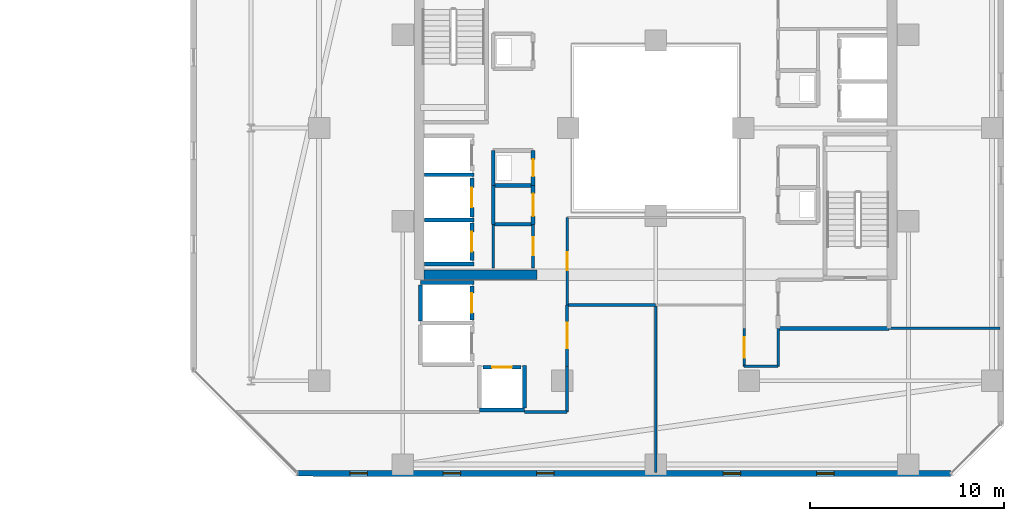
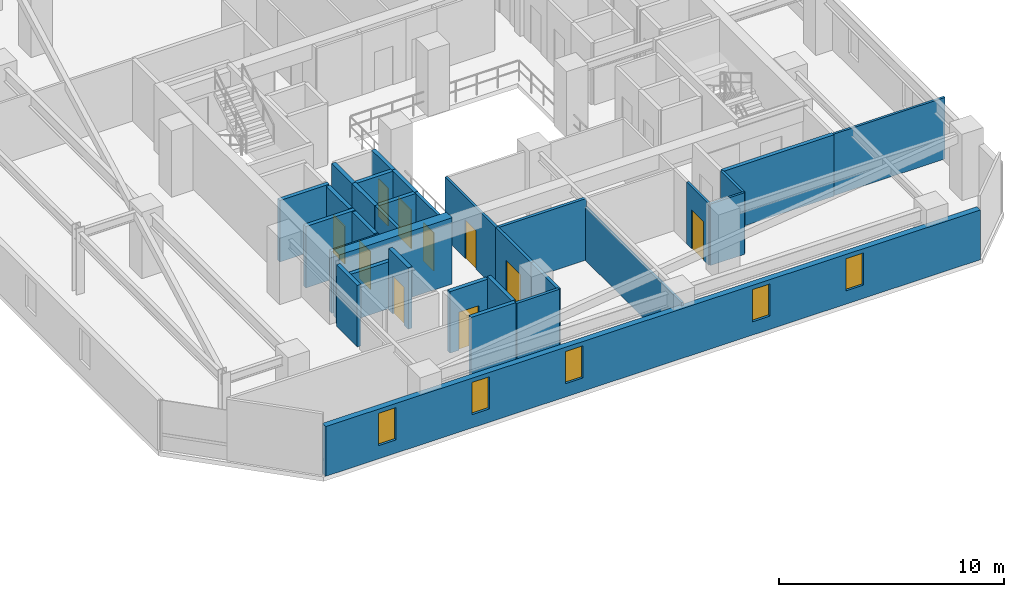
# One storey, part 23 of 33: 32 walls, 10 doors, 5 windows, 15 openings.
"""IFC4 building model written with IfcOpenShell, lengths in metres."""

from ifc_helpers import new_model, si_unit, direction, frame, frame_2d, origin, place, context, subcontext, project, spatial, rectangle, extrude, material, layer, layer_set, type_object, element, fill, save


model = new_model("IFC4")

# Units and contexts
model_context = context("Model", 3, precision=1e-05, world=origin(), true_north=direction((0.0, 1.0)))
body_context = subcontext(model_context, "Body", "Model", "MODEL_VIEW")
ifc_project = project(units=[si_unit("LENGTHUNIT", "METRE"), si_unit("AREAUNIT", "SQUARE_METRE"), si_unit("VOLUMEUNIT", "CUBIC_METRE"), si_unit("PLANEANGLEUNIT", "RADIAN"), si_unit("MASSUNIT", "GRAM", prefix="KILO")], contexts=[model_context])

# Site, building, storey
site_placement = place(None, origin())
site = spatial("IfcSite", under=ifc_project, at=site_placement, CompositionType="ELEMENT")
building_placement = place(site_placement, origin())
building = spatial("IfcBuilding", under=site, at=building_placement, Name="Thornwick Lancets Civic Towers", CompositionType="ELEMENT")
storey_placement = place(building_placement, frame((0.0, 0.0, 185.699951171875)))
storey = spatial("IfcBuildingStorey", under=building, at=storey_placement, Name="L49", CompositionType="ELEMENT", Elevation=185.699951171875)

# Wall, opening, door
ifc_material_1 = material(Name="Concrete blockwork C40/50", Category="masonry")
ifc_layer_1 = layer(ifc_material_1, 0.199951171875, Name="Concrete blockwork C40/50")
ifc_layer_set_1 = layer_set([ifc_layer_1], Name="Concrete blockwork C40/50")
wall_type_1 = type_object("IfcWallType", Name="WALL_COMP_200", PredefinedType="STANDARD", material=ifc_layer_set_1)
wall_1_placement = place(storey_placement, frame((79.050048828125, 22.429931640625, 0.0), z_axis=(0.0, 0.0, 1.0), x_axis=(0.0, 1.0, 0.0)))
wall_1 = element("IfcWall", 1, at=wall_1_placement, inside=storey, type_object=wall_type_1, Name="L49 Hoistway Front Wall PL-BH2", PredefinedType="STANDARD", context=body_context, shape_type="SweptSolid", body=[
    extrude(rectangle(XDim=1.989990234375, YDim=0.199951171875, at=frame_2d((0.9951171875, 0.0))), origin(), (0.0, 0.0, 1.0), 3.340087890625),
])
opening_1_placement = place(wall_1_placement, frame((0.485107421875, 0.0, 0.0)))
opening_1 = element("IfcOpeningElement", 2, at=opening_1_placement, cuts=wall_1, Name="Opening LD-PL-BH2", PredefinedType="OPENING", context=body_context, shape_type="SweptSolid", body=[
    extrude(rectangle(XDim=1.02001953125, YDim=2.06005859375, at=frame_2d((0.510009765625, 1.030029296875))), frame((0.0, 0.10986328125, 0.0), z_axis=(0.0, -1.0, 0.0), x_axis=(1.0, 0.0, 0.0)), (0.0, 0.0, 1.0), 0.219970703125),
])
ifc_material_2 = material(Name="Brushed bronze stainless steel", Category="steel")
door_type_1 = type_object("IfcDoorType", Name="DOOR_LIFT_SLIDE", OperationType="SLIDING_TO_LEFT", PredefinedType="DOOR", material=ifc_material_2)
door_1_placement = place(opening_1_placement, origin())
door_1 = element("IfcDoor", 3, at=door_1_placement, inside=storey, type_object=door_type_1, Name="L49 Sliding Lift Landing Door LD-PL-BH2", OperationType="SLIDING_TO_LEFT", OverallHeight=2.06005859375, OverallWidth=1.02001953125, PredefinedType="DOOR", context=body_context, shape_type="SweptSolid", body=[
    extrude(rectangle(XDim=1.02001953125, YDim=2.06005859375, at=frame_2d((0.510009765625, 1.030029296875))), frame((0.0, 0.02490234375, 0.0), z_axis=(0.0, -1.0, 0.0), x_axis=(1.0, 0.0, 0.0)), (0.0, 0.0, 1.0), 0.050048828125),
])
fill(opening_1, door_1)

wall_2_placement = place(storey_placement, frame((79.050048828125, 20.179931640625, 0.0), z_axis=(0.0, 0.0, 1.0), x_axis=(0.0, 1.0, 0.0)))
wall_2 = element("IfcWall", 4, at=wall_2_placement, inside=storey, type_object=wall_type_1, Name="L49 Hoistway Front Wall PL-BH3", PredefinedType="STANDARD", context=body_context, shape_type="SweptSolid", body=[
    extrude(rectangle(XDim=1.940185546875, YDim=0.199951171875, at=frame_2d((0.97021484375, 0.0))), origin(), (0.0, 0.0, 1.0), 3.340087890625),
])
opening_2_placement = place(wall_2_placement, frame((0.4599609375, 0.0, 0.0)))
opening_2 = element("IfcOpeningElement", 5, at=opening_2_placement, cuts=wall_2, Name="Opening LD-PL-BH3", PredefinedType="OPENING", context=body_context, shape_type="SweptSolid", body=[
    extrude(rectangle(XDim=1.02001953125, YDim=2.06005859375, at=frame_2d((0.510009765625, 1.030029296875))), frame((0.0, 0.10986328125, 0.0), z_axis=(0.0, -1.0, 0.0), x_axis=(1.0, 0.0, 0.0)), (0.0, 0.0, 1.0), 0.219970703125),
])
door_2_placement = place(opening_2_placement, origin())
door_2 = element("IfcDoor", 6, at=door_2_placement, inside=storey, type_object=door_type_1, Name="L49 Sliding Lift Landing Door LD-PL-BH3", OperationType="SLIDING_TO_LEFT", OverallHeight=2.06005859375, OverallWidth=1.02001953125, PredefinedType="DOOR", context=body_context, shape_type="SweptSolid", body=[
    extrude(rectangle(XDim=1.02001953125, YDim=2.06005859375, at=frame_2d((0.510009765625, 1.030029296875))), frame((0.0, 0.02490234375, 0.0), z_axis=(0.0, -1.0, 0.0), x_axis=(1.0, 0.0, 0.0)), (0.0, 0.0, 1.0), 0.050048828125),
])
fill(opening_2, door_2)

wall_3_placement = place(storey_placement, frame((79.050048828125, 17.1298828125, 0.0), z_axis=(0.0, 0.0, 1.0), x_axis=(0.0, 1.0, 0.0)))
wall_3 = element("IfcWall", 7, at=wall_3_placement, inside=storey, type_object=wall_type_1, Name="L49 Hoistway Front Wall PL-BM1", PredefinedType="STANDARD", context=body_context, shape_type="SweptSolid", body=[
    extrude(rectangle(XDim=1.740234375, YDim=0.199951171875, at=frame_2d((0.8701171875, 0.0))), origin(), (0.0, 0.0, 1.0), 3.340087890625),
])
opening_3_placement = place(wall_3_placement, frame((0.360107421875, 0.0, 0.0)))
opening_3 = element("IfcOpeningElement", 8, at=opening_3_placement, cuts=wall_3, Name="Opening LD-PL-BM1", PredefinedType="OPENING", context=body_context, shape_type="SweptSolid", body=[
    extrude(rectangle(XDim=1.02001953125, YDim=2.06005859375, at=frame_2d((0.510009765625, 1.030029296875))), frame((0.0, 0.10986328125, 0.0), z_axis=(0.0, -1.0, 0.0), x_axis=(1.0, 0.0, 0.0)), (0.0, 0.0, 1.0), 0.219970703125),
])
door_3_placement = place(opening_3_placement, origin())
door_3 = element("IfcDoor", 9, at=door_3_placement, inside=storey, type_object=door_type_1, Name="L49 Sliding Lift Landing Door LD-PL-BM1", OperationType="SLIDING_TO_LEFT", OverallHeight=2.06005859375, OverallWidth=1.02001953125, PredefinedType="DOOR", context=body_context, shape_type="SweptSolid", body=[
    extrude(rectangle(XDim=1.02001953125, YDim=2.06005859375, at=frame_2d((0.510009765625, 1.030029296875))), frame((0.0, 0.02490234375, 0.0), z_axis=(0.0, -1.0, 0.0), x_axis=(1.0, 0.0, 0.0)), (0.0, 0.0, 1.0), 0.050048828125),
])
fill(opening_3, door_3)

wall_4_placement = place(storey_placement, frame((79.6298828125, 14.699951171875, 0.0), z_axis=(0.0, 0.0, 1.0), x_axis=(1.0, 0.0, 0.0)))
wall_4 = element("IfcWall", 10, at=wall_4_placement, inside=storey, type_object=wall_type_1, Name="L49 Hoistway Front Wall PL-BM3", PredefinedType="STANDARD", context=body_context, shape_type="SweptSolid", body=[
    extrude(rectangle(XDim=1.940185546875, YDim=0.199951171875, at=frame_2d((0.97021484375, 0.0))), origin(), (0.0, 0.0, 1.0), 3.340087890625),
])
opening_4_placement = place(wall_4_placement, frame((0.4599609375, 0.0, 0.0)))
opening_4 = element("IfcOpeningElement", 11, at=opening_4_placement, cuts=wall_4, Name="Opening LD-PL-BM3", PredefinedType="OPENING", context=body_context, shape_type="SweptSolid", body=[
    extrude(rectangle(XDim=1.02001953125, YDim=2.06005859375, at=frame_2d((0.510009765625, 1.030029296875))), frame((0.0, 0.10986328125, 0.0), z_axis=(0.0, -1.0, 0.0), x_axis=(1.0, 0.0, 0.0)), (0.0, 0.0, 1.0), 0.219970703125),
])
door_4_placement = place(opening_4_placement, origin())
door_4 = element("IfcDoor", 12, at=door_4_placement, inside=storey, type_object=door_type_1, Name="L49 Sliding Lift Landing Door LD-PL-BM3", OperationType="SLIDING_TO_LEFT", OverallHeight=2.06005859375, OverallWidth=1.02001953125, PredefinedType="DOOR", context=body_context, shape_type="SweptSolid", body=[
    extrude(rectangle(XDim=1.02001953125, YDim=2.06005859375, at=frame_2d((0.510009765625, 1.030029296875))), frame((0.0, 0.02490234375, 0.0), z_axis=(0.0, -1.0, 0.0), x_axis=(1.0, 0.0, 0.0)), (0.0, 0.0, 1.0), 0.050048828125),
])
fill(opening_4, door_4)

# Walls
for number, where, z_axis, x_axis, name in (
    (13, (76.612060546875, 24.60009765625, 0.0), (0.0, 0.0, 1.0), (1.0, 0.0, 0.0), "L49 Hoistway Shaft Wall FL-B2 S"),
    (14, (76.612060546875, 22.27490234375, 0.0), (0.0, 0.0, 1.0), (1.0, 0.0, 0.0), "L49 Hoistway Shaft Wall PL-BH2 S"),
    (15, (76.612060546875, 20.0, 0.0), (0.0, 0.0, 1.0), (1.0, 0.0, 0.0), "L49 Hoistway Shaft Wall PL-BH3 S"),
):
    element("IfcWall", number, at=place(storey_placement, frame(where, z_axis=z_axis, x_axis=x_axis)), inside=storey, type_object=wall_type_1, Name=name, PredefinedType="STANDARD", context=body_context, shape_type="SweptSolid", body=[
        extrude(rectangle(XDim=2.535888671875, YDim=0.199951171875, at=frame_2d((1.26806640625, 0.0))), origin(), (0.0, 0.0, 1.0), 3.340087890625),
    ])
wall_5_placement = place(storey_placement, frame((76.402099609375, 19.050048828125, 0.0), z_axis=(0.0, 0.0, 1.0), x_axis=(1.0, 0.0, 0.0)))
element("IfcWall", 16, at=wall_5_placement, inside=storey, type_object=wall_type_1, Name="L49 Hoistway Shaft Wall PL-BM1 N", PredefinedType="STANDARD", context=body_context, shape_type="SweptSolid", body=[
    extrude(rectangle(XDim=2.745849609375, YDim=0.199951171875, at=frame_2d((1.373046875, 0.0))), origin(), (0.0, 0.0, 1.0), 2.545166015625),
])
wall_6_placement = place(storey_placement, frame((76.39990234375, 17.08203125, 0.0), z_axis=(0.0, 0.0, 1.0), x_axis=(0.0, 1.0, 0.0)))
element("IfcWall", 17, at=wall_6_placement, inside=storey, type_object=wall_type_1, Name="L49 Hoistway Shaft Wall PL-BM1 W", PredefinedType="STANDARD", context=body_context, shape_type="SweptSolid", body=[
    extrude(rectangle(XDim=1.85595703125, YDim=0.199951171875, at=frame_2d((0.927978515625, 0.0))), origin(), (0.0, 0.0, 1.0), 3.340087890625),
])
wall_7_placement = place(storey_placement, frame((79.451904296875, 12.5, 0.0), z_axis=(0.0, 0.0, 1.0), x_axis=(1.0, 0.0, 0.0)))
element("IfcWall", 18, at=wall_7_placement, inside=storey, type_object=wall_type_1, Name="L49 Hoistway Shaft Wall PL-BM3 S", PredefinedType="STANDARD", context=body_context, shape_type="SweptSolid", body=[
    extrude(rectangle(XDim=2.296142578125, YDim=0.199951171875, at=frame_2d((1.14794921875, 0.0))), origin(), (0.0, 0.0, 1.0), 3.340087890625),
])
wall_8_placement = place(storey_placement, frame((81.75, 12.612060546875, 0.0), z_axis=(0.0, 0.0, 1.0), x_axis=(0.0, 1.0, 0.0)))
element("IfcWall", 19, at=wall_8_placement, inside=storey, type_object=wall_type_1, Name="L49 Hoistway Shaft Wall PL-BM3 E", PredefinedType="STANDARD", context=body_context, shape_type="SweptSolid", body=[
    extrude(rectangle(XDim=2.18603515625, YDim=0.199951171875, at=frame_2d((1.093017578125, 0.0))), origin(), (0.0, 0.0, 1.0), 3.340087890625),
])
wall_9_placement = place(storey_placement, frame((94.800048828125, 16.699951171875, 0.0), z_axis=(0.0, 0.0, 1.0), x_axis=(1.0, 0.0, 0.0)))
element("IfcWall", 20, at=wall_9_placement, inside=storey, type_object=wall_type_1, Name="L49 Partition L49-B-FFLOB1 E1", PredefinedType="STANDARD", context=body_context, shape_type="SweptSolid", body=[
    extrude(rectangle(XDim=5.699951171875, YDim=0.199951171875, at=frame_2d((2.85009765625, 0.0))), origin(), (0.0, 0.0, 1.0), 3.340087890625),
])
wall_10_placement = place(storey_placement, frame((80.14990234375, 24.050048828125, 0.0), z_axis=(0.0, 0.0, 1.0), x_axis=(1.0, 0.0, 0.0)))
element("IfcWall", 21, at=wall_10_placement, inside=storey, type_object=wall_type_1, Name="L49 Partition L49-B-DUCT2 E1", PredefinedType="STANDARD", context=body_context, shape_type="SweptSolid", body=[
    extrude(rectangle(XDim=2.050048828125, YDim=0.199951171875, at=frame_2d((1.02490234375, 0.0))), origin(), (0.0, 0.0, 1.0), 3.340087890625),
])

# Wall, opening, door
wall_11_placement = place(storey_placement, frame((82.199951171875, 24.050048828125, 0.0), z_axis=(0.0, 0.0, 1.0), x_axis=(0.0, 1.0, 0.0)))
wall_11 = element("IfcWall", 22, at=wall_11_placement, inside=storey, type_object=wall_type_1, Name="L49 Partition L49-B-DUCT2 E2", PredefinedType="STANDARD", context=body_context, shape_type="SweptSolid", body=[
    extrude(rectangle(XDim=1.800048828125, YDim=0.199951171875, at=frame_2d((0.89990234375, 0.0))), origin(), (0.0, 0.0, 1.0), 3.340087890625),
])
opening_5_placement = place(wall_11_placement, frame((0.4599609375, 0.0, 0.0)))
opening_5 = element("IfcOpeningElement", 23, at=opening_5_placement, cuts=wall_11, Name="Opening D-L49-2176", PredefinedType="OPENING", context=body_context, shape_type="SweptSolid", body=[
    extrude(rectangle(XDim=0.8798828125, YDim=2.0400390625, at=frame_2d((0.43994140625, 1.02001953125))), frame((0.0, 0.10986328125, 0.0), z_axis=(0.0, -1.0, 0.0), x_axis=(1.0, 0.0, 0.0)), (0.0, 0.0, 1.0), 0.219970703125),
])
ifc_material_3 = material(Name="Steel riser access doorset", Category="steel")
door_type_2 = type_object("IfcDoorType", Name="DOOR_RISER_850", OperationType="NOTDEFINED", PredefinedType="DOOR", material=ifc_material_3)
door_5_placement = place(opening_5_placement, origin())
door_5 = element("IfcDoor", 24, at=door_5_placement, inside=storey, type_object=door_type_2, Name="L49 West Service Duct 2 Door", OperationType="SINGLE_SWING_LEFT", OverallHeight=2.0400390625, OverallWidth=0.8798828125, PredefinedType="DOOR", context=body_context, shape_type="SweptSolid", body=[
    extrude(rectangle(XDim=0.8798828125, YDim=2.0400390625, at=frame_2d((0.43994140625, 1.02001953125))), frame((0.0, 0.02490234375, 0.0), z_axis=(0.0, -1.0, 0.0), x_axis=(1.0, 0.0, 0.0)), (0.0, 0.0, 1.0), 0.050048828125),
])
fill(opening_5, door_5)

# Walls
wall_12_placement = place(storey_placement, frame((80.14990234375, 25.85009765625, 0.0), z_axis=(0.0, 0.0, 1.0), x_axis=(0.0, -1.0, 0.0)))
element("IfcWall", 25, at=wall_12_placement, inside=storey, type_object=wall_type_1, Name="L49 Partition L49-B-DUCT2 E4", PredefinedType="STANDARD", context=body_context, shape_type="SweptSolid", body=[
    extrude(rectangle(XDim=1.800048828125, YDim=0.199951171875, at=frame_2d((0.89990234375, 0.0))), origin(), (0.0, 0.0, 1.0), 3.340087890625),
])
wall_13_placement = place(storey_placement, frame((80.14990234375, 22.050048828125, 0.0), z_axis=(0.0, 0.0, 1.0), x_axis=(0.0, 1.0, 0.0)))
element("IfcWall", 26, at=wall_13_placement, inside=storey, type_object=wall_type_1, Name="L49 Partition L49-B-STR E1", PredefinedType="STANDARD", context=body_context, shape_type="SweptSolid", body=[
    extrude(rectangle(XDim=2.0, YDim=0.199951171875, at=frame_2d((1.0, 0.0))), origin(), (0.0, 0.0, 1.0), 3.340087890625),
])

# Wall, opening, door
wall_14_placement = place(storey_placement, frame((82.199951171875, 24.050048828125, 0.0), z_axis=(0.0, 0.0, 1.0), x_axis=(0.0, -1.0, 0.0)))
wall_14 = element("IfcWall", 27, at=wall_14_placement, inside=storey, type_object=wall_type_1, Name="L49 Partition L49-B-STR E3", PredefinedType="STANDARD", context=body_context, shape_type="SweptSolid", body=[
    extrude(rectangle(XDim=2.0, YDim=0.199951171875, at=frame_2d((1.0, 0.0))), origin(), (0.0, 0.0, 1.0), 3.340087890625),
])
opening_6_placement = place(wall_14_placement, frame((0.425048828125, 0.0, 0.0)))
opening_6 = element("IfcOpeningElement", 28, at=opening_6_placement, cuts=wall_14, Name="Opening D-L49-2182", PredefinedType="OPENING", context=body_context, shape_type="SweptSolid", body=[
    extrude(rectangle(XDim=1.14990234375, YDim=2.10009765625, at=frame_2d((0.574951171875, 1.050048828125))), frame((0.0, 0.10986328125, 0.0), z_axis=(0.0, -1.0, 0.0), x_axis=(1.0, 0.0, 0.0)), (0.0, 0.0, 1.0), 0.219970703125),
])
ifc_material_4 = material(Name="Glazed fire-resisting steel", Category="steel")
door_type_3 = type_object("IfcDoorType", Name="DOOR_LOBBY_FD60", OperationType="NOTDEFINED", PredefinedType="DOOR", material=ifc_material_4)
door_6_placement = place(opening_6_placement, origin())
door_6 = element("IfcDoor", 29, at=door_6_placement, inside=storey, type_object=door_type_3, Name="L49 Tower B Core Records Store Door", OperationType="SINGLE_SWING_LEFT", OverallHeight=2.10009765625, OverallWidth=1.14990234375, PredefinedType="DOOR", context=body_context, shape_type="SweptSolid", body=[
    extrude(rectangle(XDim=1.14990234375, YDim=2.10009765625, at=frame_2d((0.574951171875, 1.050048828125))), frame((0.0, 0.02490234375, 0.0), z_axis=(0.0, -1.0, 0.0), x_axis=(1.0, 0.0, 0.0)), (0.0, 0.0, 1.0), 0.050048828125),
])
fill(opening_6, door_6)

# Walls
wall_15_placement = place(storey_placement, frame((82.199951171875, 22.050048828125, 0.0), z_axis=(0.0, 0.0, 1.0), x_axis=(-1.0, 0.0, 0.0)))
element("IfcWall", 30, at=wall_15_placement, inside=storey, type_object=wall_type_1, Name="L49 Partition L49-B-STR E4", PredefinedType="STANDARD", context=body_context, shape_type="SweptSolid", body=[
    extrude(rectangle(XDim=2.050048828125, YDim=0.199951171875, at=frame_2d((1.02490234375, 0.0))), origin(), (0.0, 0.0, 1.0), 3.340087890625),
])
ifc_material_5 = material(Name="Concrete C50/60", Category="concrete")
ifc_layer_2 = layer(ifc_material_5, 0.5, Name="Concrete C50/60")
ifc_layer_set_2 = layer_set([ifc_layer_2], Name="Concrete C50/60")
wall_type_2 = type_object("IfcWallType", Name="WALL_CORE_500", PredefinedType="SHEAR", material=ifc_layer_set_2)
wall_16_placement = place(storey_placement, frame((76.60009765625, 19.449951171875, 0.0), z_axis=(0.0, 0.0, 1.0), x_axis=(1.0, 0.0, 0.0)))
element("IfcWall", 31, at=wall_16_placement, inside=storey, type_object=wall_type_2, Name="L49 Split Core B2 Shear Wall S", PredefinedType="SHEAR", context=body_context, shape_type="SweptSolid", body=[
    extrude(rectangle(XDim=5.7998046875, YDim=0.5, at=frame_2d((2.89990234375, 0.0))), origin(), (0.0, 0.0, 1.0), 3.60009765625),
])

# Wall, openings, windows
ifc_material_6 = material(Name="Insulated russet terracotta rainscreen on concrete C40/50", Category="masonry")
ifc_layer_3 = layer(ifc_material_6, 0.300048828125, Name="Insulated russet terracotta rainscreen on concrete C40/50")
ifc_layer_set_3 = layer_set([ifc_layer_3], Name="Insulated russet terracotta rainscreen on concrete C40/50")
wall_type_3 = type_object("IfcWallType", Name="WALL_EXT_RUSSET_300", PredefinedType="STANDARD", material=ifc_layer_set_3)
wall_17_placement = place(storey_placement, frame((70.076416015625, 9.244384765625, 0.0), z_axis=(0.0, 0.0, 1.0), x_axis=(0.999999963872, -0.000268805477, 0.0)))
wall_17 = element("IfcWall", 32, at=wall_17_placement, inside=storey, type_object=wall_type_3, Name="L49 Tower B Terracotta Facade Wall E0", PredefinedType="STANDARD", context=body_context, shape_type="SweptSolid", body=[
    extrude(rectangle(XDim=33.60498046875, YDim=0.300048828125, at=frame_2d((16.802490234375, 0.0))), origin(), (0.0, 0.0, 1.0), 2.699951171875),
])
opening_7_placement = place(wall_17_placement, frame((2.699951171875, 0.0, 0.719970703125)))
opening_7 = element("IfcOpeningElement", 33, at=opening_7_placement, cuts=wall_17, Name="Opening WL-01", PredefinedType="OPENING", context=body_context, shape_type="SweptSolid", body=[
    extrude(rectangle(XDim=0.89990234375, YDim=1.75, at=frame_2d((0.449951171875, 0.875))), frame((0.0, 0.16015625, 0.0), z_axis=(0.0, -1.0, 0.0), x_axis=(1.0, 0.0, 0.0)), (0.0, 0.0, 1.0), 0.320068359375),
])
opening_8_placement = place(wall_17_placement, frame((7.5, 0.0, 0.719970703125)))
opening_8 = element("IfcOpeningElement", 34, at=opening_8_placement, cuts=wall_17, Name="Opening WL-01", PredefinedType="OPENING", context=body_context, shape_type="SweptSolid", body=[
    extrude(rectangle(XDim=0.89990234375, YDim=1.75, at=frame_2d((0.449951171875, 0.875))), frame((0.0, 0.16015625, 0.0), z_axis=(0.0, -1.0, 0.0), x_axis=(1.0, 0.0, 0.0)), (0.0, 0.0, 1.0), 0.320068359375),
])
opening_9_placement = place(wall_17_placement, frame((12.300048828125, 0.0, 0.719970703125)))
opening_9 = element("IfcOpeningElement", 35, at=opening_9_placement, cuts=wall_17, Name="Opening WL-01", PredefinedType="OPENING", context=body_context, shape_type="SweptSolid", body=[
    extrude(rectangle(XDim=0.89990234375, YDim=1.75, at=frame_2d((0.449951171875, 0.875))), frame((0.0, 0.16015625, 0.0), z_axis=(0.0, -1.0, 0.0), x_axis=(1.0, 0.0, 0.0)), (0.0, 0.0, 1.0), 0.320068359375),
])
opening_10_placement = place(wall_17_placement, frame((21.89990234375, 0.0, 0.719970703125)))
opening_10 = element("IfcOpeningElement", 36, at=opening_10_placement, cuts=wall_17, Name="Opening WL-01", PredefinedType="OPENING", context=body_context, shape_type="SweptSolid", body=[
    extrude(rectangle(XDim=0.89990234375, YDim=1.75, at=frame_2d((0.449951171875, 0.875))), frame((0.0, 0.16015625, 0.0), z_axis=(0.0, -1.0, 0.0), x_axis=(1.0, 0.0, 0.0)), (0.0, 0.0, 1.0), 0.320068359375),
])
opening_11_placement = place(wall_17_placement, frame((26.699951171875, 0.0, 0.719970703125)))
opening_11 = element("IfcOpeningElement", 37, at=opening_11_placement, cuts=wall_17, Name="Opening WL-01", PredefinedType="OPENING", context=body_context, shape_type="SweptSolid", body=[
    extrude(rectangle(XDim=0.89990234375, YDim=1.75, at=frame_2d((0.449951171875, 0.875))), frame((0.0, 0.16015625, 0.0), z_axis=(0.0, -1.0, 0.0), x_axis=(1.0, 0.0, 0.0)), (0.0, 0.0, 1.0), 0.320068359375),
])
ifc_material_7 = material(Name="Clear low-e double glazing in bronze frame", Category="glass")
window_type = type_object("IfcWindowType", Name="WIN_LANCET_900", PartitioningType="SINGLE_PANEL", PredefinedType="WINDOW", material=ifc_material_7)
window_1_placement = place(opening_7_placement, origin())
window_1 = element("IfcWindow", 38, at=window_1_placement, inside=storey, type_object=window_type, Name="L49 Tower B Staggered Lancet Window E0-1", OverallHeight=1.75, OverallWidth=0.89990234375, PartitioningType="SINGLE_PANEL", PredefinedType="WINDOW", context=body_context, shape_type="SweptSolid", body=[
    extrude(rectangle(XDim=0.89990234375, YDim=1.75, at=frame_2d((0.449951171875, 0.875))), frame((0.0, 0.030029296875, 0.0), z_axis=(0.0, -1.0, 0.0), x_axis=(1.0, 0.0, 0.0)), (0.0, 0.0, 1.0), 0.06005859375),
])
fill(opening_7, window_1)
window_2_placement = place(opening_8_placement, origin())
window_2 = element("IfcWindow", 39, at=window_2_placement, inside=storey, type_object=window_type, Name="L49 Tower B Staggered Lancet Window E0-2", OverallHeight=1.75, OverallWidth=0.89990234375, PartitioningType="SINGLE_PANEL", PredefinedType="WINDOW", context=body_context, shape_type="SweptSolid", body=[
    extrude(rectangle(XDim=0.89990234375, YDim=1.75, at=frame_2d((0.449951171875, 0.875))), frame((0.0, 0.030029296875, 0.0), z_axis=(0.0, -1.0, 0.0), x_axis=(1.0, 0.0, 0.0)), (0.0, 0.0, 1.0), 0.06005859375),
])
fill(opening_8, window_2)
window_3_placement = place(opening_9_placement, origin())
window_3 = element("IfcWindow", 40, at=window_3_placement, inside=storey, type_object=window_type, Name="L49 Tower B Staggered Lancet Window E0-3", OverallHeight=1.75, OverallWidth=0.89990234375, PartitioningType="SINGLE_PANEL", PredefinedType="WINDOW", context=body_context, shape_type="SweptSolid", body=[
    extrude(rectangle(XDim=0.89990234375, YDim=1.75, at=frame_2d((0.449951171875, 0.875))), frame((0.0, 0.030029296875, 0.0), z_axis=(0.0, -1.0, 0.0), x_axis=(1.0, 0.0, 0.0)), (0.0, 0.0, 1.0), 0.06005859375),
])
fill(opening_9, window_3)
window_4_placement = place(opening_10_placement, origin())
window_4 = element("IfcWindow", 41, at=window_4_placement, inside=storey, type_object=window_type, Name="L49 Tower B Staggered Lancet Window E0-4", OverallHeight=1.75, OverallWidth=0.89990234375, PartitioningType="SINGLE_PANEL", PredefinedType="WINDOW", context=body_context, shape_type="SweptSolid", body=[
    extrude(rectangle(XDim=0.89990234375, YDim=1.75, at=frame_2d((0.449951171875, 0.875))), frame((0.0, 0.030029296875, 0.0), z_axis=(0.0, -1.0, 0.0), x_axis=(1.0, 0.0, 0.0)), (0.0, 0.0, 1.0), 0.06005859375),
])
fill(opening_10, window_4)
window_5_placement = place(opening_11_placement, origin())
window_5 = element("IfcWindow", 42, at=window_5_placement, inside=storey, type_object=window_type, Name="L49 Tower B Staggered Lancet Window E0-5", OverallHeight=1.75, OverallWidth=0.89990234375, PartitioningType="SINGLE_PANEL", PredefinedType="WINDOW", context=body_context, shape_type="SweptSolid", body=[
    extrude(rectangle(XDim=0.89990234375, YDim=1.75, at=frame_2d((0.449951171875, 0.875))), frame((0.0, 0.030029296875, 0.0), z_axis=(0.0, -1.0, 0.0), x_axis=(1.0, 0.0, 0.0)), (0.0, 0.0, 1.0), 0.06005859375),
])
fill(opening_11, window_5)

# Wall
ifc_material_8 = material(Name="Acoustic gypsum board partition")
ifc_layer_4 = layer(ifc_material_8, 0.1201171875, Name="Acoustic gypsum board partition")
ifc_layer_set_4 = layer_set([ifc_layer_4], Name="Acoustic gypsum board partition")
wall_type_4 = type_object("IfcWallType", Name="WALL_PART_120", PredefinedType="PARTITIONING", material=ifc_layer_set_4)
wall_18_placement = place(storey_placement, frame((88.5, 9.280029296875, 0.0), z_axis=(0.0, 0.0, 1.0), x_axis=(0.0, 1.0, 0.0)))
element("IfcWall", 43, at=wall_18_placement, inside=storey, type_object=wall_type_4, Name="L49 Partition L49-B-W1 E2", PredefinedType="PARTITIONING", context=body_context, shape_type="SweptSolid", body=[
    extrude(rectangle(XDim=8.619873046875, YDim=0.1201171875, at=frame_2d((4.31005859375, 0.0))), origin(), (0.0, 0.0, 1.0), 2.8779296875),
])

# Wall, opening, door
wall_19_placement = place(storey_placement, frame((93.050048828125, 16.699951171875, 0.0), z_axis=(0.0, 0.0, 1.0), x_axis=(0.0, -1.0, 0.0)))
wall_19 = element("IfcWall", 44, at=wall_19_placement, inside=storey, type_object=wall_type_4, Name="L49 Partition L49-B-W1 E5", PredefinedType="PARTITIONING", context=body_context, shape_type="SweptSolid", body=[
    extrude(rectangle(XDim=1.949951171875, YDim=0.1201171875, at=frame_2d((0.97509765625, 0.0))), origin(), (0.0, 0.0, 1.0), 3.340087890625),
])
opening_12_placement = place(wall_19_placement, frame((0.449951171875, 0.0, 0.0)))
opening_12 = element("IfcOpeningElement", 45, at=opening_12_placement, cuts=wall_19, Name="Opening D-L49-2194", PredefinedType="OPENING", context=body_context, shape_type="SweptSolid", body=[
    extrude(rectangle(XDim=1.050048828125, YDim=2.10009765625, at=frame_2d((0.52490234375, 1.050048828125))), frame((0.0, 0.070068359375, 0.0), z_axis=(0.0, -1.0, 0.0), x_axis=(1.0, 0.0, 0.0)), (0.0, 0.0, 1.0), 0.14013671875),
])
ifc_material_9 = material(Name="Glazed European oak executive doorset")
door_type_4 = type_object("IfcDoorType", Name="DOOR_OFFICE_1050", OperationType="NOTDEFINED", PredefinedType="DOOR", material=ifc_material_9)
door_7_placement = place(opening_12_placement, origin())
door_7 = element("IfcDoor", 46, at=door_7_placement, inside=storey, type_object=door_type_4, Name="L49 Tower B Ministry Directorate Office W1 Door", OperationType="SINGLE_SWING_LEFT", OverallHeight=2.10009765625, OverallWidth=1.050048828125, PredefinedType="DOOR", context=body_context, shape_type="SweptSolid", body=[
    extrude(rectangle(XDim=1.050048828125, YDim=2.10009765625, at=frame_2d((0.52490234375, 1.050048828125))), frame((0.0, 0.02490234375, 0.0), z_axis=(0.0, -1.0, 0.0), x_axis=(1.0, 0.0, 0.0)), (0.0, 0.0, 1.0), 0.050048828125),
])
fill(opening_12, door_7)

# Walls
wall_20_placement = place(storey_placement, frame((93.050048828125, 14.75, 0.0), z_axis=(0.0, 0.0, 1.0), x_axis=(1.0, 0.0, 0.0)))
element("IfcWall", 47, at=wall_20_placement, inside=storey, type_object=wall_type_4, Name="L49 Partition L49-B-W1 E6", PredefinedType="PARTITIONING", context=body_context, shape_type="SweptSolid", body=[
    extrude(rectangle(XDim=1.75, YDim=0.1201171875, at=frame_2d((0.875, 0.0))), origin(), (0.0, 0.0, 1.0), 3.340087890625),
])
wall_21_placement = place(storey_placement, frame((94.800048828125, 14.75, 0.0), z_axis=(0.0, 0.0, 1.0), x_axis=(0.0, 1.0, 0.0)))
element("IfcWall", 48, at=wall_21_placement, inside=storey, type_object=wall_type_4, Name="L49 Partition L49-B-W1 E7", PredefinedType="PARTITIONING", context=body_context, shape_type="SweptSolid", body=[
    extrude(rectangle(XDim=1.949951171875, YDim=0.1201171875, at=frame_2d((0.97509765625, 0.0))), origin(), (0.0, 0.0, 1.0), 3.340087890625),
])
wall_22_placement = place(storey_placement, frame((100.5, 16.699951171875, 0.0), z_axis=(0.0, 0.0, 1.0), x_axis=(1.0, 0.0, 0.0)))
element("IfcWall", 49, at=wall_22_placement, inside=storey, type_object=wall_type_4, Name="L49 Partition L49-B-W1 E9", PredefinedType="PARTITIONING", context=body_context, shape_type="SweptSolid", body=[
    extrude(rectangle(XDim=5.719970703125, YDim=0.1201171875, at=frame_2d((2.85986328125, 0.0))), origin(), (0.0, 0.0, 1.0), 3.340087890625),
])

# Wall, opening, door
wall_23_placement = place(storey_placement, frame((83.949951171875, 17.89990234375, 0.0), z_axis=(0.0, 0.0, 1.0), x_axis=(0.0, 1.0, 0.0)))
wall_23 = element("IfcWall", 50, at=wall_23_placement, inside=storey, type_object=wall_type_4, Name="L49 Partition L49-B-W3 E1", PredefinedType="PARTITIONING", context=body_context, shape_type="SweptSolid", body=[
    extrude(rectangle(XDim=4.5, YDim=0.1201171875, at=frame_2d((2.25, 0.0))), origin(), (0.0, 0.0, 1.0), 3.340087890625),
])
opening_13_placement = place(wall_23_placement, frame((1.77490234375, 0.0, 0.0)))
opening_13 = element("IfcOpeningElement", 51, at=opening_13_placement, cuts=wall_23, Name="Opening D-L49-2196", PredefinedType="OPENING", context=body_context, shape_type="SweptSolid", body=[
    extrude(rectangle(XDim=0.949951171875, YDim=2.10009765625, at=frame_2d((0.47509765625, 1.050048828125))), frame((0.0, 0.070068359375, 0.0), z_axis=(0.0, -1.0, 0.0), x_axis=(1.0, 0.0, 0.0)), (0.0, 0.0, 1.0), 0.14013671875),
])
ifc_material_10 = material(Name="European oak acoustic doorset")
door_type_5 = type_object("IfcDoorType", Name="DOOR_OFFICE_950", OperationType="NOTDEFINED", PredefinedType="DOOR", material=ifc_material_10)
door_8_placement = place(opening_13_placement, origin())
door_8 = element("IfcDoor", 52, at=door_8_placement, inside=storey, type_object=door_type_5, Name="L49 Tower B West Atrium Reading Lounge Door", OperationType="SINGLE_SWING_LEFT", OverallHeight=2.10009765625, OverallWidth=0.949951171875, PredefinedType="DOOR", context=body_context, shape_type="SweptSolid", body=[
    extrude(rectangle(XDim=0.949951171875, YDim=2.10009765625, at=frame_2d((0.47509765625, 1.050048828125))), frame((0.0, 0.02490234375, 0.0), z_axis=(0.0, -1.0, 0.0), x_axis=(1.0, 0.0, 0.0)), (0.0, 0.0, 1.0), 0.050048828125),
])
fill(opening_13, door_8)

ifc_material_11 = material(Name="Twin-stud acoustic gypsum board")
ifc_layer_5 = layer(ifc_material_11, 0.14990234375, Name="Twin-stud acoustic gypsum board")
ifc_layer_set_5 = layer_set([ifc_layer_5], Name="Twin-stud acoustic gypsum board")
wall_type_5 = type_object("IfcWallType", Name="WALL_PART_150", PredefinedType="PARTITIONING", material=ifc_layer_set_5)
wall_24_placement = place(storey_placement, frame((82.199951171875, 19.800048828125, 0.0), z_axis=(0.0, 0.0, 1.0), x_axis=(0.0, 1.0, 0.0)))
wall_24 = element("IfcWall", 53, at=wall_24_placement, inside=storey, type_object=wall_type_5, Name="L49 Partition L49-B-AWC E2", PredefinedType="PARTITIONING", context=body_context, shape_type="SweptSolid", body=[
    extrude(rectangle(XDim=2.25, YDim=0.14990234375, at=frame_2d((1.125, 0.0))), origin(), (0.0, 0.0, 1.0), 3.340087890625),
])
opening_14_placement = place(wall_24_placement, frame((0.6650390625, 0.0, 0.0)))
opening_14 = element("IfcOpeningElement", 54, at=opening_14_placement, cuts=wall_24, Name="Opening D-L49-2181", PredefinedType="OPENING", context=body_context, shape_type="SweptSolid", body=[
    extrude(rectangle(XDim=0.919921875, YDim=2.080078125, at=frame_2d((0.4599609375, 1.0400390625))), frame((0.0, 0.0849609375, 0.0), z_axis=(0.0, -1.0, 0.0), x_axis=(1.0, 0.0, 0.0)), (0.0, 0.0, 1.0), 0.169921875),
])
ifc_material_12 = material(Name="Moisture-resistant oak doorset")
door_type_6 = type_object("IfcDoorType", Name="DOOR_WC_900", OperationType="NOTDEFINED", PredefinedType="DOOR", material=ifc_material_12)
door_9_placement = place(opening_14_placement, origin())
door_9 = element("IfcDoor", 55, at=door_9_placement, inside=storey, type_object=door_type_6, Name="L49 Tower B Accessible WC Door", OperationType="SINGLE_SWING_RIGHT", OverallHeight=2.080078125, OverallWidth=0.919921875, PredefinedType="DOOR", context=body_context, shape_type="SweptSolid", body=[
    extrude(rectangle(XDim=0.919921875, YDim=2.080078125, at=frame_2d((0.4599609375, 1.0400390625))), frame((0.0, 0.02490234375, 0.0), z_axis=(0.0, -1.0, 0.0), x_axis=(1.0, 0.0, 0.0)), (0.0, 0.0, 1.0), 0.050048828125),
])
fill(opening_14, door_9)

# Wall
wall_25_placement = place(storey_placement, frame((80.14990234375, 22.050048828125, 0.0), z_axis=(0.0, 0.0, 1.0), x_axis=(0.0, -1.0, 0.0)))
element("IfcWall", 56, at=wall_25_placement, inside=storey, type_object=wall_type_5, Name="L49 Partition L49-B-AWC E4", PredefinedType="PARTITIONING", context=body_context, shape_type="SweptSolid", body=[
    extrude(rectangle(XDim=2.25, YDim=0.14990234375, at=frame_2d((1.125, 0.0))), origin(), (0.0, 0.0, 1.0), 3.340087890625),
])

# Wall, opening, door
wall_26_placement = place(storey_placement, frame((83.949951171875, 14.75, 0.0), z_axis=(0.0, 0.0, 1.0), x_axis=(0.0, 1.0, 0.0)))
wall_26 = element("IfcWall", 57, at=wall_26_placement, inside=storey, type_object=wall_type_5, Name="L49 Partition L49-B-W2 E1", PredefinedType="PARTITIONING", context=body_context, shape_type="SweptSolid", body=[
    extrude(rectangle(XDim=3.14990234375, YDim=0.14990234375, at=frame_2d((1.574951171875, 0.0))), origin(), (0.0, 0.0, 1.0), 3.340087890625),
])
opening_15_placement = place(wall_26_placement, frame((0.925048828125, 0.0, 0.0)))
opening_15 = element("IfcOpeningElement", 58, at=opening_15_placement, cuts=wall_26, Name="Opening D-L49-2195", PredefinedType="OPENING", context=body_context, shape_type="SweptSolid", body=[
    extrude(rectangle(XDim=1.300048828125, YDim=2.1201171875, at=frame_2d((0.64990234375, 1.06005859375))), frame((0.0, 0.0849609375, 0.0), z_axis=(0.0, -1.0, 0.0), x_axis=(1.0, 0.0, 0.0)), (0.0, 0.0, 1.0), 0.169921875),
])
ifc_material_13 = material(Name="Acoustic oak leaf-and-a-half doorset")
door_type_7 = type_object("IfcDoorType", Name="DOOR_MEET_1300", OperationType="DOUBLE_DOOR_SINGLE_SWING", PredefinedType="DOOR", material=ifc_material_13)
door_10_placement = place(opening_15_placement, origin())
door_10 = element("IfcDoor", 59, at=door_10_placement, inside=storey, type_object=door_type_7, Name="L49 Tower B Policy Briefing Room W2 Door", OperationType="DOUBLE_DOOR_SINGLE_SWING", OverallHeight=2.1201171875, OverallWidth=1.300048828125, PredefinedType="DOOR", context=body_context, shape_type="SweptSolid", body=[
    extrude(rectangle(XDim=1.300048828125, YDim=2.1201171875, at=frame_2d((0.64990234375, 1.06005859375))), frame((0.0, 0.02490234375, 0.0), z_axis=(0.0, -1.0, 0.0), x_axis=(1.0, 0.0, 0.0)), (0.0, 0.0, 1.0), 0.050048828125),
])
fill(opening_15, door_10)

# Walls
wall_27_placement = place(storey_placement, frame((83.949951171875, 17.89990234375, 0.0), z_axis=(0.0, 0.0, 1.0), x_axis=(1.0, 0.0, 0.0)))
element("IfcWall", 60, at=wall_27_placement, inside=storey, type_object=wall_type_5, Name="L49 Partition L49-B-W2 E2", PredefinedType="PARTITIONING", context=body_context, shape_type="SweptSolid", body=[
    extrude(rectangle(XDim=4.550048828125, YDim=0.14990234375, at=frame_2d((2.27490234375, 0.0))), origin(), (0.0, 0.0, 1.0), 3.340087890625),
])
wall_28_placement = place(storey_placement, frame((81.748046875, 12.39990234375, 0.0), z_axis=(0.0, 0.0, 1.0), x_axis=(1.0, 0.0, 0.0)))
element("IfcWall", 61, at=wall_28_placement, inside=storey, type_object=wall_type_5, Name="L49 Partition L49-B-W2 E6", PredefinedType="PARTITIONING", context=body_context, shape_type="SweptSolid", body=[
    extrude(rectangle(XDim=2.201904296875, YDim=0.14990234375, at=frame_2d((1.10107421875, 0.0))), origin(), (0.0, 0.0, 1.0), 3.340087890625),
])
wall_29_placement = place(storey_placement, frame((83.949951171875, 12.39990234375, 0.0), z_axis=(0.0, 0.0, 1.0), x_axis=(0.0, 1.0, 0.0)))
element("IfcWall", 62, at=wall_29_placement, inside=storey, type_object=wall_type_5, Name="L49 Partition L49-B-W2 E7", PredefinedType="PARTITIONING", context=body_context, shape_type="SweptSolid", body=[
    extrude(rectangle(XDim=2.35009765625, YDim=0.14990234375, at=frame_2d((1.175048828125, 0.0))), origin(), (0.0, 0.0, 1.0), 3.340087890625),
])

save(model, "model.ifc")
